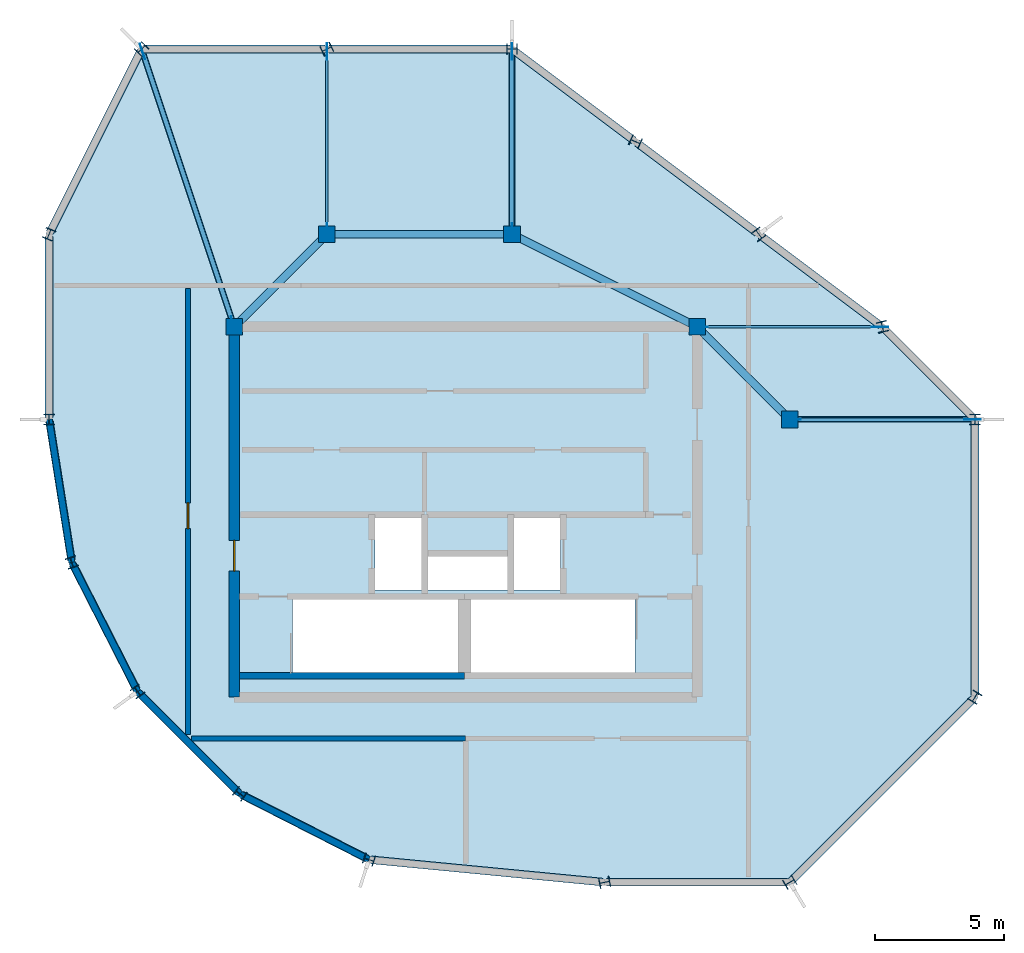
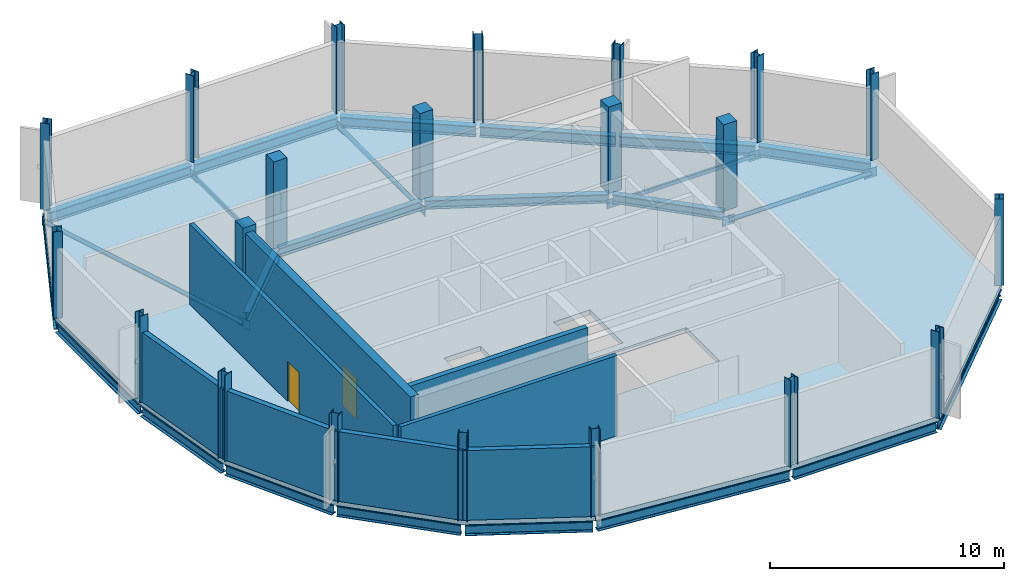
# One storey, part 1 of 4: 21 columns, 20 beams, 10 plates, 8 walls, 5 members, 2 doors, 1 slab, 2 openings.
"""IFC4 building model written with IfcOpenShell, lengths in metres."""

from ifc_helpers import new_model, si_unit, direction, frame, frame_2d, origin, origin_2d, place, context, subcontext, project, spatial, polyline, rectangle, hollow_rectangle, hollow_circle, i_section, outline, extrude, material, layer, layer_set, material_profile, profile_set, type_object, element, fill, save


model = new_model("IFC4")

# Units and contexts
model_context = context("Model", 3, precision=1e-05, world=origin(), true_north=direction((0.0, 1.0)))
body_context = subcontext(model_context, "Body", "Model", "MODEL_VIEW")
ifc_project = project(units=[si_unit("LENGTHUNIT", "METRE"), si_unit("AREAUNIT", "SQUARE_METRE"), si_unit("VOLUMEUNIT", "CUBIC_METRE"), si_unit("PLANEANGLEUNIT", "RADIAN"), si_unit("MASSUNIT", "GRAM", prefix="KILO")], contexts=[model_context])

# Site, building, storey
site_placement = place(None, origin())
site = spatial("IfcSite", under=ifc_project, at=site_placement, CompositionType="ELEMENT")
building_placement = place(site_placement, origin())
building = spatial("IfcBuilding", under=site, at=building_placement, Name="Solnavia Interchange Tower", CompositionType="ELEMENT")
storey_placement = place(building_placement, frame((0.0, 0.0, 322.199951171875)))
storey = spatial("IfcBuildingStorey", under=building, at=storey_placement, Name="C05", CompositionType="ELEMENT", Elevation=322.199951171875)

# Columns
ifc_material_1 = material(Name="Concrete C50/60", Category="concrete")
ifc_material_profile_1 = material_profile(ifc_material_1, rectangle(XDim=0.64990234375, YDim=0.64990234375, at=origin_2d()), Name="RC 650x650")
ifc_profile_set_1 = profile_set([ifc_material_profile_1], Name="Concrete C50/60")
column_type_1 = type_object("IfcColumnType", Name="Col-RC-650x650", PredefinedType="COLUMN", material=ifc_profile_set_1)
for number, where, z_axis, x_axis, name in (
    (1, (36.0, 21.60009765625, 0.0), (0.0, 0.0, 1.0), (1.0, 0.0, 0.0), "COL-C05-IN01 Crown inner plant column"),
    (2, (32.39990234375, 25.199951171875, 0.0), (0.0, 0.0, 1.0), (1.0, 0.0, 0.0), "COL-C05-IN02 Crown inner plant column"),
    (3, (25.199951171875, 28.800048828125, 0.0), (0.0, 0.0, 1.0), (1.0, 0.0, 0.0), "COL-C05-IN03 Crown inner plant column"),
    (4, (18.0, 28.800048828125, 0.0), (0.0, 0.0, 1.0), (1.0, 0.0, 0.0), "COL-C05-IN04 Crown inner plant column"),
    (5, (14.39990234375, 25.199951171875, 0.0), (0.0, 0.0, 1.0), (1.0, 0.0, 0.0), "COL-C05-IN05 Crown inner plant column"),
):
    element("IfcColumn", number, at=place(storey_placement, frame(where, z_axis=z_axis, x_axis=x_axis)), inside=storey, type_object=column_type_1, Name=name, PredefinedType="COLUMN", context=body_context, shape_type="SweptSolid", body=[
        extrude(rectangle(XDim=0.64990234375, YDim=0.64990234375, at=origin_2d()), origin(), (0.0, 0.0, 1.0), 4.5),
    ])
ifc_material_2 = material(Name="Steel S460", Category="steel")
ifc_material_profile_2 = material_profile(ifc_material_2, i_section(OverallWidth=0.405029296875, OverallDepth=0.4169921875, WebThickness=0.01806640625, FlangeThickness=0.028564453125, FilletRadius=0.014892578125, at=origin_2d()), Name="HD 400x262")
ifc_profile_set_2 = profile_set([ifc_material_profile_2], Name="Steel S460")
column_type_2 = type_object("IfcColumnType", Name="CrownFrame-Col-HD400x262", PredefinedType="COLUMN", material=ifc_profile_set_2)
for number, where, z_axis, x_axis, name in (
    (6, (43.199951171875, 21.60009765625, 0.0), (0.0, 0.0, 1.0), (1.0, 0.0, 0.0), "COL-C05-CF01 CROWN FRAME ring column"),
    (7, (39.60009765625, 25.199951171875, 0.0), (0.0, 0.0, 1.0), (0.97012659649, 0.242599230795, 0.0), "COL-C05-CF02 CROWN FRAME ring column"),
    (8, (34.800048828125, 28.800048828125, 0.0), (0.0, 0.0, 1.0), (0.799998928149, 0.600001429133, 0.0), "COL-C05-CF03 CROWN FRAME ring column"),
    (9, (30.0, 32.39990234375, 0.0), (0.0, 0.0, 1.0), (0.406098768964, 0.913829190738, 0.0), "COL-C05-CF04 CROWN FRAME ring column"),
    (10, (25.199951171875, 36.0, 0.0), (0.0, 0.0, 1.0), (0.0, 1.0, 0.0), "COL-C05-CF05 CROWN FRAME ring column"),
    (11, (18.0, 36.0, 0.0), (0.0, 0.0, 1.0), (-0.447290848419, 0.89438856037, 0.0), "COL-C05-CF06 CROWN FRAME ring column"),
    (12, (10.800048828125, 36.0, 0.0), (0.0, 0.0, 1.0), (-0.707106781187, 0.707106781187, 0.0), "COL-C05-CF07 CROWN FRAME ring column"),
    (13, (7.199951171875, 28.800048828125, 0.0), (0.0, 0.0, 1.0), (-0.928485826881, 0.37136783555, 0.0), "COL-C05-CF08 CROWN FRAME ring column"),
    (14, (7.199951171875, 21.60009765625, 0.0), (0.0, 0.0, 1.0), (-1.0, 0.0, 0.0), "COL-C05-CF09 CROWN FRAME ring column"),
    (15, (8.0810546875, 16.0380859375, 0.0), (0.0, 0.0, 1.0), (-0.951056516295, -0.309016994375, 0.0), "COL-C05-CF10 CROWN FRAME ring column"),
    (16, (10.637939453125, 11.02001953125, 0.0), (0.0, 0.0, 1.0), (-0.809016994375, -0.587785252292, 0.0), "COL-C05-CF11 CROWN FRAME ring column"),
    (17, (14.6201171875, 7.0380859375, 0.0), (0.0, 0.0, 1.0), (-0.587785252292, -0.809016994375, 0.0), "COL-C05-CF12 CROWN FRAME ring column"),
    (18, (19.637939453125, 4.48095703125, 0.0), (0.0, 0.0, 1.0), (-0.309016994375, -0.951056516295, 0.0), "COL-C05-CF13 CROWN FRAME ring column"),
    (19, (28.800048828125, 3.60009765625, 0.0), (0.0, 0.0, 1.0), (0.196117290802, -0.980580444557, 0.0), "COL-C05-CF14 CROWN FRAME ring column"),
    (20, (36.0, 3.60009765625, 0.0), (0.0, 0.0, 1.0), (0.514439533782, -0.857526656194, 0.0), "COL-C05-CF15 CROWN FRAME ring column"),
    (21, (43.199951171875, 10.800048828125, 0.0), (0.0, 0.0, 1.0), (0.857526656194, -0.514439533782, 0.0), "COL-C05-CF16 CROWN FRAME ring column"),
):
    element("IfcColumn", number, at=place(storey_placement, frame(where, z_axis=z_axis, x_axis=x_axis)), inside=storey, type_object=column_type_2, Name=name, PredefinedType="COLUMN", context=body_context, shape_type="SweptSolid", body=[
        extrude(i_section(OverallWidth=0.405029296875, OverallDepth=0.4169921875, WebThickness=0.01806640625, FlangeThickness=0.028564453125, FilletRadius=0.014892578125, at=origin_2d()), origin(), (0.0, 0.0, 1.0), 4.5),
    ])

# Beams
ifc_material_profile_3 = material_profile(ifc_material_2, i_section(OverallWidth=0.300048828125, OverallDepth=0.449951171875, WebThickness=0.013916015625, FlangeThickness=0.02587890625, FilletRadius=0.027099609375, at=origin_2d()), Name="HEB 450")
ifc_profile_set_3 = profile_set([ifc_material_profile_3], Name="Steel S460")
beam_type_1 = type_object("IfcBeamType", Name="Beam-Girder-HEB450", PredefinedType="BEAM", material=ifc_profile_set_3)
beam_1_placement = place(storey_placement, frame((35.943359375, 21.656494140625, -0.474853515625), z_axis=(-0.707106781187, 0.707106781187, 0.0), x_axis=(-0.707106781187, -0.707106781187, 0.0)))
element("IfcBeam", 22, at=beam_1_placement, inside=storey, type_object=beam_type_1, Name="GRD-C05-CI01 Crown inner ring girder", PredefinedType="BEAM", context=body_context, shape_type="SweptSolid", body=[
    extrude(i_section(OverallWidth=0.300048828125, OverallDepth=0.449951171875, WebThickness=0.013916015625, FlangeThickness=0.02587890625, FilletRadius=0.027099609375, at=origin_2d()), origin(), (0.0, 0.0, 1.0), 4.93115234375),
])
beam_2_placement = place(storey_placement, frame((32.328369140625, 25.23583984375, -0.474853515625), z_axis=(-0.894433379694, 0.447201217898, 0.0), x_axis=(-0.447201217898, -0.894433379694, 0.0)))
element("IfcBeam", 23, at=beam_2_placement, inside=storey, type_object=beam_type_1, Name="GRD-C05-CI02 Crown inner ring girder", PredefinedType="BEAM", context=body_context, shape_type="SweptSolid", body=[
    extrude(i_section(OverallWidth=0.300048828125, OverallDepth=0.449951171875, WebThickness=0.013916015625, FlangeThickness=0.02587890625, FilletRadius=0.027099609375, at=origin_2d()), origin(), (0.0, 0.0, 1.0), 7.889892578125),
])
beam_3_placement = place(storey_placement, frame((25.1201171875, 28.800048828125, -0.474853515625), z_axis=(-1.0, 0.0, 0.0), x_axis=(0.0, -1.0, 0.0)))
element("IfcBeam", 24, at=beam_3_placement, inside=storey, type_object=beam_type_1, Name="GRD-C05-CI03 Crown inner ring girder", PredefinedType="BEAM", context=body_context, shape_type="SweptSolid", body=[
    extrude(i_section(OverallWidth=0.300048828125, OverallDepth=0.449951171875, WebThickness=0.013916015625, FlangeThickness=0.02587890625, FilletRadius=0.027099609375, at=origin_2d()), origin(), (0.0, 0.0, 1.0), 7.0400390625),
])
beam_4_placement = place(storey_placement, frame((17.943359375, 28.743408203125, -0.474853515625), z_axis=(-0.707106781187, -0.707106781187, 0.0), x_axis=(0.707106781187, -0.707106781187, 0.0)))
element("IfcBeam", 25, at=beam_4_placement, inside=storey, type_object=beam_type_1, Name="GRD-C05-CI04 Crown inner ring girder", PredefinedType="BEAM", context=body_context, shape_type="SweptSolid", body=[
    extrude(i_section(OverallWidth=0.300048828125, OverallDepth=0.449951171875, WebThickness=0.013916015625, FlangeThickness=0.02587890625, FilletRadius=0.027099609375, at=origin_2d()), origin(), (0.0, 0.0, 1.0), 4.93115234375),
])

# Members
ifc_material_3 = material(Name="Steel S355", Category="steel")
ifc_material_profile_4 = material_profile(ifc_material_3, hollow_circle(Radius=0.109619140625, WallThickness=0.010009765625, at=origin_2d()), Name="CHS 219.1x10")
ifc_profile_set_4 = profile_set([ifc_material_profile_4], Name="Steel S355")
member_type_1 = type_object("IfcMemberType", Name="CrownFrame-Collar-CHS219", PredefinedType="COLLAR", material=ifc_profile_set_4)
for number, where, z_axis, x_axis, name in (
    (26, (36.10009765625, 21.60009765625, -0.800048828125), (1.0, 0.0, 0.0), (0.0, 1.0, 0.0), "OTR-C05-CL01 CROWN FRAME radial collar member"),
    (27, (25.199951171875, 28.89990234375, -0.800048828125), (0.0, 1.0, 0.0), (-1.0, 0.0, 0.0), "OTR-C05-CL03 CROWN FRAME radial collar member"),
):
    element("IfcMember", number, at=place(storey_placement, frame(where, z_axis=z_axis, x_axis=x_axis)), inside=storey, type_object=member_type_1, Name=name, PredefinedType="COLLAR", context=body_context, shape_type="SweptSolid", body=[
        extrude(hollow_circle(Radius=0.109619140625, WallThickness=0.010009765625, at=origin_2d()), origin(), (0.0, 0.0, 1.0), 7.0),
    ])
member_placement = place(storey_placement, frame((14.368408203125, 25.294921875, -0.800048828125), z_axis=(-0.316240863558, 0.948678932103, 0.0), x_axis=(-0.948678932103, -0.316240863558, 0.0)))
element("IfcMember", 28, at=member_placement, inside=storey, type_object=member_type_1, Name="OTR-C05-CL05 CROWN FRAME radial collar member", PredefinedType="COLLAR", context=body_context, shape_type="SweptSolid", body=[
    extrude(hollow_circle(Radius=0.109619140625, WallThickness=0.010009765625, at=origin_2d()), origin(), (0.0, 0.0, 1.0), 11.18408203125),
])
ifc_material_profile_5 = material_profile(ifc_material_3, hollow_rectangle(XDim=0.10009765625, YDim=0.199951171875, WallThickness=0.008056640625, at=origin_2d()), Name="RHS 200x100x8")
ifc_profile_set_5 = profile_set([ifc_material_profile_5], Name="Steel S355")
member_type_2 = type_object("IfcMemberType", Name="CrownFrame-Collar-RHS200", PredefinedType="COLLAR", material=ifc_profile_set_5)
for number, where, z_axis, x_axis, name in (
    (29, (32.5, 25.199951171875, -0.800048828125), (1.0, 0.0, 0.0), (0.0, 1.0, 0.0), "OTR-C05-CL02 CROWN FRAME radial collar member"),
    (30, (18.0, 28.89990234375, -0.800048828125), (0.0, 1.0, 0.0), (-1.0, 0.0, 0.0), "OTR-C05-CL04 CROWN FRAME radial collar member"),
):
    element("IfcMember", number, at=place(storey_placement, frame(where, z_axis=z_axis, x_axis=x_axis)), inside=storey, type_object=member_type_2, Name=name, PredefinedType="COLLAR", context=body_context, shape_type="SweptSolid", body=[
        extrude(hollow_rectangle(XDim=0.10009765625, YDim=0.199951171875, WallThickness=0.008056640625, at=origin_2d()), origin(), (0.0, 0.0, 1.0), 7.0),
    ])

# Beams
ifc_material_profile_6 = material_profile(ifc_material_2, i_section(OverallWidth=0.300048828125, OverallDepth=0.550048828125, WebThickness=0.014892578125, FlangeThickness=0.029052734375, FilletRadius=0.027099609375, at=origin_2d()), Name="HEB 550")
ifc_profile_set_6 = profile_set([ifc_material_profile_6], Name="Steel S460")
beam_type_2 = type_object("IfcBeamType", Name="CrownFrame-Ring-HEB550", PredefinedType="BEAM", material=ifc_profile_set_6)
beam_5_placement = place(storey_placement, frame((43.143310546875, 21.656494140625, -0.52490234375), z_axis=(-0.707106781187, 0.707106781187, 0.0), x_axis=(-0.707106781187, -0.707106781187, 0.0)))
element("IfcBeam", 31, at=beam_5_placement, inside=storey, type_object=beam_type_2, Name="GRD-C05-CR01 CROWN FRAME outer collar ring beam", PredefinedType="BEAM", context=body_context, shape_type="SweptSolid", body=[
    extrude(i_section(OverallWidth=0.300048828125, OverallDepth=0.550048828125, WebThickness=0.014892578125, FlangeThickness=0.029052734375, FilletRadius=0.027099609375, at=origin_2d()), origin(), (0.0, 0.0, 1.0), 4.93115234375),
])
beam_6_placement = place(storey_placement, frame((39.535888671875, 25.248046875, -0.52490234375), z_axis=(-0.8, 0.6, 0.0), x_axis=(-0.6, -0.8, 0.0)))
element("IfcBeam", 32, at=beam_6_placement, inside=storey, type_object=beam_type_2, Name="GRD-C05-CR02 CROWN FRAME outer collar ring beam", PredefinedType="BEAM", context=body_context, shape_type="SweptSolid", body=[
    extrude(i_section(OverallWidth=0.300048828125, OverallDepth=0.550048828125, WebThickness=0.014892578125, FlangeThickness=0.029052734375, FilletRadius=0.027099609375, at=origin_2d()), origin(), (0.0, 0.0, 1.0), 5.83984375),
])
for number, where, z_axis, x_axis, name in (
    (33, (34.736083984375, 28.847900390625, -0.52490234375), (-0.799994983543, 0.600006688551, 0.0), (-0.600006688551, -0.799994983543, 0.0), "GRD-C05-CR03 CROWN FRAME outer collar ring beam"),
    (34, (29.93603515625, 32.447998046875, -0.52490234375), (-0.800015049412, 0.599979933593, 0.0), (-0.599979933593, -0.800015049412, 0.0), "GRD-C05-CR04 CROWN FRAME outer collar ring beam"),
):
    element("IfcBeam", number, at=place(storey_placement, frame(where, z_axis=z_axis, x_axis=x_axis)), inside=storey, type_object=beam_type_2, Name=name, PredefinedType="BEAM", context=body_context, shape_type="SweptSolid", body=[
        extrude(i_section(OverallWidth=0.300048828125, OverallDepth=0.550048828125, WebThickness=0.014892578125, FlangeThickness=0.029052734375, FilletRadius=0.027099609375, at=origin_2d()), origin(), (0.0, 0.0, 1.0), 5.840087890625),
    ])
for number, where, z_axis, x_axis, name in (
    (35, (25.1201171875, 36.0, -0.52490234375), (-1.0, 0.0, 0.0), (0.0, -1.0, 0.0), "GRD-C05-CR05 CROWN FRAME outer collar ring beam"),
    (36, (17.919921875, 36.0, -0.52490234375), (-1.0, 0.0, 0.0), (0.0, -1.0, 0.0), "GRD-C05-CR06 CROWN FRAME outer collar ring beam"),
):
    element("IfcBeam", number, at=place(storey_placement, frame(where, z_axis=z_axis, x_axis=x_axis)), inside=storey, type_object=beam_type_2, Name=name, PredefinedType="BEAM", context=body_context, shape_type="SweptSolid", body=[
        extrude(i_section(OverallWidth=0.300048828125, OverallDepth=0.550048828125, WebThickness=0.014892578125, FlangeThickness=0.029052734375, FilletRadius=0.027099609375, at=origin_2d()), origin(), (0.0, 0.0, 1.0), 7.0400390625),
    ])
beam_7_placement = place(storey_placement, frame((10.76416015625, 35.928466796875, -0.52490234375), z_axis=(-0.447201217898, -0.894433379694, 0.0), x_axis=(0.894433379694, -0.447201217898, 0.0)))
element("IfcBeam", 37, at=beam_7_placement, inside=storey, type_object=beam_type_2, Name="GRD-C05-CR07 CROWN FRAME outer collar ring beam", PredefinedType="BEAM", context=body_context, shape_type="SweptSolid", body=[
    extrude(i_section(OverallWidth=0.300048828125, OverallDepth=0.550048828125, WebThickness=0.014892578125, FlangeThickness=0.029052734375, FilletRadius=0.027099609375, at=origin_2d()), origin(), (0.0, 0.0, 1.0), 7.889892578125),
])
beam_8_placement = place(storey_placement, frame((7.199951171875, 28.719970703125, -0.52490234375), z_axis=(0.0, -1.0, 0.0), x_axis=(1.0, 0.0, 0.0)))
element("IfcBeam", 38, at=beam_8_placement, inside=storey, type_object=beam_type_2, Name="GRD-C05-CR08 CROWN FRAME outer collar ring beam", PredefinedType="BEAM", context=body_context, shape_type="SweptSolid", body=[
    extrude(i_section(OverallWidth=0.300048828125, OverallDepth=0.550048828125, WebThickness=0.014892578125, FlangeThickness=0.029052734375, FilletRadius=0.027099609375, at=origin_2d()), origin(), (0.0, 0.0, 1.0), 7.0400390625),
])
beam_9_placement = place(storey_placement, frame((7.21240234375, 21.52099609375, -0.52490234375), z_axis=(0.156484976244, -0.987680339082, 0.0), x_axis=(0.987680339082, 0.156484976244, 0.0)))
element("IfcBeam", 39, at=beam_9_placement, inside=storey, type_object=beam_type_2, Name="GRD-C05-CR09 CROWN FRAME outer collar ring beam", PredefinedType="BEAM", context=body_context, shape_type="SweptSolid", body=[
    extrude(i_section(OverallWidth=0.300048828125, OverallDepth=0.550048828125, WebThickness=0.014892578125, FlangeThickness=0.029052734375, FilletRadius=0.027099609375, at=origin_2d()), origin(), (0.0, 0.0, 1.0), 5.471435546875),
])
beam_10_placement = place(storey_placement, frame((8.1171875, 15.966796875, -0.52490234375), z_axis=(0.454053431986, -0.890974455808, 0.0), x_axis=(0.890974455808, 0.454053431986, 0.0)))
element("IfcBeam", 40, at=beam_10_placement, inside=storey, type_object=beam_type_2, Name="GRD-C05-CR10 CROWN FRAME outer collar ring beam", PredefinedType="BEAM", context=body_context, shape_type="SweptSolid", body=[
    extrude(i_section(OverallWidth=0.300048828125, OverallDepth=0.550048828125, WebThickness=0.014892578125, FlangeThickness=0.029052734375, FilletRadius=0.027099609375, at=origin_2d()), origin(), (0.0, 0.0, 1.0), 5.47216796875),
])
beam_11_placement = place(storey_placement, frame((10.694580078125, 10.96337890625, -0.52490234375), z_axis=(0.707106781187, -0.707106781187, 0.0), x_axis=(0.707106781187, 0.707106781187, 0.0)))
element("IfcBeam", 41, at=beam_11_placement, inside=storey, type_object=beam_type_2, Name="GRD-C05-CR11 CROWN FRAME outer collar ring beam", PredefinedType="BEAM", context=body_context, shape_type="SweptSolid", body=[
    extrude(i_section(OverallWidth=0.300048828125, OverallDepth=0.550048828125, WebThickness=0.014892578125, FlangeThickness=0.029052734375, FilletRadius=0.027099609375, at=origin_2d()), origin(), (0.0, 0.0, 1.0), 5.471435546875),
])
beam_12_placement = place(storey_placement, frame((14.69140625, 7.001708984375, -0.52490234375), z_axis=(0.890983307267, -0.454036062634, 0.0), x_axis=(0.454036062634, 0.890983307267, 0.0)))
element("IfcBeam", 42, at=beam_12_placement, inside=storey, type_object=beam_type_2, Name="GRD-C05-CR12 CROWN FRAME outer collar ring beam", PredefinedType="BEAM", context=body_context, shape_type="SweptSolid", body=[
    extrude(i_section(OverallWidth=0.300048828125, OverallDepth=0.550048828125, WebThickness=0.014892578125, FlangeThickness=0.029052734375, FilletRadius=0.027099609375, at=origin_2d()), origin(), (0.0, 0.0, 1.0), 5.4716796875),
])
beam_13_placement = place(storey_placement, frame((19.717529296875, 4.473388671875, -0.52490234375), z_axis=(0.995408435602, -0.095718578822, 0.0), x_axis=(0.095718578822, 0.995408435602, 0.0)))
element("IfcBeam", 43, at=beam_13_placement, inside=storey, type_object=beam_type_2, Name="GRD-C05-CR13 CROWN FRAME outer collar ring beam", PredefinedType="BEAM", context=body_context, shape_type="SweptSolid", body=[
    extrude(i_section(OverallWidth=0.300048828125, OverallDepth=0.550048828125, WebThickness=0.014892578125, FlangeThickness=0.029052734375, FilletRadius=0.027099609375, at=origin_2d()), origin(), (0.0, 0.0, 1.0), 9.04443359375),
])
beam_14_placement = place(storey_placement, frame((28.8798828125, 3.60009765625, -0.52490234375), z_axis=(1.0, 0.0, 0.0), x_axis=(0.0, 1.0, 0.0)))
element("IfcBeam", 44, at=beam_14_placement, inside=storey, type_object=beam_type_2, Name="GRD-C05-CR14 CROWN FRAME outer collar ring beam", PredefinedType="BEAM", context=body_context, shape_type="SweptSolid", body=[
    extrude(i_section(OverallWidth=0.300048828125, OverallDepth=0.550048828125, WebThickness=0.014892578125, FlangeThickness=0.029052734375, FilletRadius=0.027099609375, at=origin_2d()), origin(), (0.0, 0.0, 1.0), 7.0400390625),
])
beam_15_placement = place(storey_placement, frame((36.056640625, 3.656494140625, -0.52490234375), z_axis=(0.707094601135, 0.707118961028, 0.0), x_axis=(-0.707118961028, 0.707094601135, 0.0)))
element("IfcBeam", 45, at=beam_15_placement, inside=storey, type_object=beam_type_2, Name="GRD-C05-CR15 CROWN FRAME outer collar ring beam", PredefinedType="BEAM", context=body_context, shape_type="SweptSolid", body=[
    extrude(i_section(OverallWidth=0.300048828125, OverallDepth=0.550048828125, WebThickness=0.014892578125, FlangeThickness=0.029052734375, FilletRadius=0.027099609375, at=origin_2d()), origin(), (0.0, 0.0, 1.0), 10.022216796875),
])
beam_16_placement = place(storey_placement, frame((43.199951171875, 10.8798828125, -0.52490234375), z_axis=(0.0, 1.0, 0.0), x_axis=(-1.0, 0.0, 0.0)))
element("IfcBeam", 46, at=beam_16_placement, inside=storey, type_object=beam_type_2, Name="GRD-C05-CR16 CROWN FRAME outer collar ring beam", PredefinedType="BEAM", context=body_context, shape_type="SweptSolid", body=[
    extrude(i_section(OverallWidth=0.300048828125, OverallDepth=0.550048828125, WebThickness=0.014892578125, FlangeThickness=0.029052734375, FilletRadius=0.027099609375, at=origin_2d()), origin(), (0.0, 0.0, 1.0), 10.64013671875),
])

# Plates
ifc_layer_1 = layer(ifc_material_2, 0.02490234375)
ifc_layer_set_1 = layer_set([ifc_layer_1], Name="Steel S460")
plate_type = type_object("IfcPlateType", Name="Plate-Gusset-640x480x25", PredefinedType="USERDEFINED", material=ifc_layer_set_1)
for number, where, z_axis, x_axis, name in (
    (47, (36.10009765625, 21.60009765625, -1.0400390625), (0.0, 0.0, 1.0), (1.0, 0.0, 0.0), "PLT-C05-GP01 Crown collar gusset plate"),
    (48, (43.10009765625, 21.60009765625, -1.0400390625), (0.0, 0.0, 1.0), (1.0, 0.0, 0.0), "PLT-C05-GP02 Crown collar gusset plate"),
    (49, (32.5, 25.199951171875, -1.0400390625), (0.0, 0.0, 1.0), (1.0, 0.0, 0.0), "PLT-C05-GP03 Crown collar gusset plate"),
    (50, (39.5, 25.199951171875, -1.0400390625), (0.0, 0.0, 1.0), (1.0, 0.0, 0.0), "PLT-C05-GP04 Crown collar gusset plate"),
    (51, (25.199951171875, 28.89990234375, -1.0400390625), (0.0, 0.0, 1.0), (0.0, 1.0, 0.0), "PLT-C05-GP05 Crown collar gusset plate"),
    (52, (25.199951171875, 35.89990234375, -1.0400390625), (0.0, 0.0, 1.0), (0.0, 1.0, 0.0), "PLT-C05-GP06 Crown collar gusset plate"),
    (53, (18.0, 28.89990234375, -1.0400390625), (0.0, 0.0, 1.0), (0.0, 1.0, 0.0), "PLT-C05-GP07 Crown collar gusset plate"),
    (54, (18.0, 35.89990234375, -1.0400390625), (0.0, 0.0, 1.0), (0.0, 1.0, 0.0), "PLT-C05-GP08 Crown collar gusset plate"),
    (55, (14.368408203125, 25.294921875, -1.0400390625), (0.0, 0.0, 1.0), (-0.316145823974, 0.948710608133, 0.0), "PLT-C05-GP09 Crown collar gusset plate"),
    (56, (10.83154296875, 35.905029296875, -1.0400390625), (0.0, 0.0, 1.0), (-0.316145823974, 0.948710608133, 0.0), "PLT-C05-GP10 Crown collar gusset plate"),
):
    element("IfcPlate", number, at=place(storey_placement, frame(where, z_axis=z_axis, x_axis=x_axis)), inside=storey, type_object=plate_type, Name=name, ObjectType="GUSSET PLATE", PredefinedType="USERDEFINED", context=body_context, shape_type="SweptSolid", body=[
        extrude(rectangle(XDim=0.639892578125, YDim=0.02490234375, at=origin_2d()), origin(), (0.0, 0.0, 1.0), 0.47998046875),
    ])

# Slab
ifc_material_4 = material(Name="Concrete C40/50", Category="concrete")
ifc_layer_2 = layer(ifc_material_4, 0.25)
ifc_layer_set_2 = layer_set([ifc_layer_2], Name="Concrete C40/50")
slab_type = type_object("IfcSlabType", Name="Slab-Tower-250", PredefinedType="FLOOR", material=ifc_layer_set_2)
slab_placement = place(storey_placement, frame((0.0, 0.0, -0.25)))
element("IfcSlab", 57, at=slab_placement, inside=storey, type_object=slab_type, Name="SLB-C05-01 Structural floor slab", PredefinedType="FLOOR", context=body_context, shape_type="SweptSolid", body=[
    extrude(outline(polyline([(43.300048828125, 21.64111328125), (43.300048828125, 10.759033203125), (36.041015625, 3.5), (28.794921875, 3.5), (19.610107421875, 4.383056640625), (14.56005859375, 6.9560546875), (10.555908203125, 10.9599609375), (7.985107421875, 16.007080078125), (7.10009765625, 21.592041015625), (7.10009765625, 28.823974609375), (10.738037109375, 36.10009765625), (25.23291015625, 36.10009765625), (30.06005859375, 32.47998046875), (34.860107421875, 28.8798828125), (39.666015625, 25.27587890625), (43.300048828125, 21.64111328125)]), holes=[polyline([(16.675048828125, 11.75), (23.10009765625, 11.75), (23.10009765625, 14.590087890625), (16.675048828125, 14.590087890625), (16.675048828125, 11.75)]), polyline([(23.60009765625, 11.75), (29.97509765625, 11.75), (29.97509765625, 14.590087890625), (23.60009765625, 14.590087890625), (23.60009765625, 11.75)]), polyline([(19.8798828125, 14.9599609375), (21.679931640625, 14.9599609375), (21.679931640625, 17.780029296875), (19.8798828125, 17.780029296875), (19.8798828125, 14.9599609375)]), polyline([(25.280029296875, 14.9599609375), (27.080078125, 14.9599609375), (27.080078125, 17.780029296875), (25.280029296875, 17.780029296875), (25.280029296875, 14.9599609375)]), polyline([(21.919921875, 14.9599609375), (25.02001953125, 14.9599609375), (25.02001953125, 16.280029296875), (21.919921875, 16.280029296875), (21.919921875, 14.9599609375)])]), origin(), (0.0, 0.0, 1.0), 0.25),
])

# Walls
ifc_layer_3 = layer(ifc_material_4, 0.25)
ifc_layer_set_3 = layer_set([ifc_layer_3], Name="Concrete C40/50")
wall_type_1 = type_object("IfcWallType", Name="Wall-ExtSpandrel-250", PredefinedType="STANDARD", material=ifc_layer_set_3)
wall_1_placement = place(storey_placement, frame((7.199951171875, 21.60009765625, 0.0), z_axis=(0.0, 0.0, 1.0), x_axis=(0.156463464287, -0.987683747129, 0.0)))
element("IfcWall", 58, at=wall_1_placement, inside=storey, type_object=wall_type_1, Name="EXW-C05-R09 Crown ring facade panel", PredefinedType="STANDARD", context=body_context, shape_type="SweptSolid", body=[
    extrude(rectangle(XDim=5.63134765625, YDim=0.25, at=frame_2d((2.815673828125, 0.0))), origin(), (0.0, 0.0, 1.0), 3.630126953125),
])
wall_2_placement = place(storey_placement, frame((8.0810546875, 16.0380859375, 0.0), z_axis=(0.0, 0.0, 1.0), x_axis=(0.453997861418, -0.891002773187, 0.0)))
element("IfcWall", 59, at=wall_2_placement, inside=storey, type_object=wall_type_1, Name="EXW-C05-R10 Crown ring facade panel", PredefinedType="STANDARD", context=body_context, shape_type="SweptSolid", body=[
    extrude(rectangle(XDim=5.6318359375, YDim=0.25, at=frame_2d((2.81591796875, 0.0))), origin(), (0.0, 0.0, 1.0), 3.630126953125),
])
wall_3_placement = place(storey_placement, frame((10.637939453125, 11.02001953125, 0.0), z_axis=(0.0, 0.0, 1.0), x_axis=(0.707128457283, -0.707085104426, 0.0)))
element("IfcWall", 60, at=wall_3_placement, inside=storey, type_object=wall_type_1, Name="EXW-C05-R11 Crown ring facade panel", PredefinedType="STANDARD", context=body_context, shape_type="SweptSolid", body=[
    extrude(rectangle(XDim=5.631591796875, YDim=0.25, at=frame_2d((2.81591796875, 0.0))), origin(), (0.0, 0.0, 1.0), 3.630126953125),
])
wall_4_placement = place(storey_placement, frame((14.6201171875, 7.0380859375, 0.0), z_axis=(0.0, 0.0, 1.0), x_axis=(0.890976300863, -0.454049811475, 0.0)))
element("IfcWall", 61, at=wall_4_placement, inside=storey, type_object=wall_type_1, Name="EXW-C05-R12 Crown ring facade panel", PredefinedType="STANDARD", context=body_context, shape_type="SweptSolid", body=[
    extrude(rectangle(XDim=5.6318359375, YDim=0.25, at=frame_2d((2.81591796875, 0.0))), origin(), (0.0, 0.0, 1.0), 3.630126953125),
])

# Wall, opening, door
ifc_layer_4 = layer(ifc_material_4, 0.199951171875)
ifc_layer_set_4 = layer_set([ifc_layer_4], Name="Concrete C40/50")
wall_type_2 = type_object("IfcWallType", Name="Wall-PlantFire-200", PredefinedType="PARTITIONING", material=ifc_layer_set_4)
wall_5_placement = place(storey_placement, frame((12.60009765625, 9.347900390625, 0.0), z_axis=(0.0, 0.0, 1.0), x_axis=(0.0, 1.0, 0.0)))
wall_5 = element("IfcWall", 62, at=wall_5_placement, inside=storey, type_object=wall_type_2, Name="PTW-C05-04 Interior partition wall", PredefinedType="PARTITIONING", context=body_context, shape_type="SweptSolid", body=[
    extrude(rectangle(XDim=17.34814453125, YDim=0.199951171875, at=frame_2d((8.674072265625, 0.0))), origin(), (0.0, 0.0, 1.0), 4.18505859375),
])
opening_1_placement = place(wall_5_placement, frame((8.010009765625, 0.0, 0.0)))
opening_1 = element("IfcOpeningElement", 63, at=opening_1_placement, cuts=wall_5, Name="Opening DR-04", PredefinedType="OPENING", context=body_context, shape_type="SweptSolid", body=[
    extrude(rectangle(XDim=1.0, YDim=2.10009765625, at=frame_2d((0.5, 1.050048828125))), frame((0.0, 0.10986328125, 0.0), z_axis=(0.0, -1.0, 0.0), x_axis=(1.0, 0.0, 0.0)), (0.0, 0.0, 1.0), 0.219970703125),
])
ifc_material_5 = material(Name="Steel Fire-Rated Plant Door", Category="steel")
door_type_1 = type_object("IfcDoorType", Name="Door-PlantFire-1000x2100", OperationType="SINGLE_SWING_LEFT", PredefinedType="DOOR", material=ifc_material_5)
door_1_placement = place(opening_1_placement, origin())
door_1 = element("IfcDoor", 64, at=door_1_placement, inside=storey, type_object=door_type_1, Name="DR-C05-02 Interior room door", OperationType="SINGLE_SWING_RIGHT", OverallHeight=2.10009765625, OverallWidth=1.0, PredefinedType="DOOR", context=body_context, shape_type="SweptSolid", body=[
    extrude(rectangle(XDim=1.0, YDim=2.10009765625, at=frame_2d((0.5, 1.050048828125))), frame((0.0, 0.02490234375, 0.0), z_axis=(0.0, -1.0, 0.0), x_axis=(1.0, 0.0, 0.0)), (0.0, 0.0, 1.0), 0.050048828125),
])
fill(opening_1, door_1)

# Walls
wall_6_placement = place(storey_placement, frame((12.747802734375, 9.199951171875, 0.0), z_axis=(0.0, 0.0, 1.0), x_axis=(1.0, 0.0, 0.0)))
element("IfcWall", 65, at=wall_6_placement, inside=storey, type_object=wall_type_2, Name="PTW-C05-05 Interior partition wall", PredefinedType="PARTITIONING", context=body_context, shape_type="SweptSolid", body=[
    extrude(rectangle(XDim=10.652099609375, YDim=0.199951171875, at=frame_2d((5.326171875, 0.0))), origin(), (0.0, 0.0, 1.0), 4.18505859375),
])
ifc_layer_5 = layer(ifc_material_4, 0.25)
ifc_layer_set_5 = layer_set([ifc_layer_5], Name="Concrete C40/50")
wall_type_3 = type_object("IfcWallType", Name="Wall-ShaftCore-250", PredefinedType="SHEAR", material=ifc_layer_set_5)
wall_7_placement = place(storey_placement, frame((14.60009765625, 11.625, 0.0), z_axis=(0.0, 0.0, 1.0), x_axis=(1.0, 0.0, 0.0)))
element("IfcWall", 66, at=wall_7_placement, inside=storey, type_object=wall_type_3, Name="SHW-C05-ST1S Core shear wall", PredefinedType="SHEAR", context=body_context, shape_type="SweptSolid", body=[
    extrude(rectangle(XDim=8.75, YDim=0.25, at=frame_2d((4.375, 0.0))), origin(), (0.0, 0.0, 1.0), 4.199951171875),
])

# Wall, opening, door
ifc_layer_6 = layer(ifc_material_1, 0.39990234375)
ifc_layer_set_6 = layer_set([ifc_layer_6], Name="Concrete C50/60")
wall_type_4 = type_object("IfcWallType", Name="Wall-ShearCore-400", PredefinedType="SHEAR", material=ifc_layer_set_6)
wall_8_placement = place(storey_placement, frame((14.39990234375, 10.800048828125, 0.0), z_axis=(0.0, 0.0, 1.0), x_axis=(0.0, 1.0, 0.0)))
wall_8 = element("IfcWall", 67, at=wall_8_placement, inside=storey, type_object=wall_type_4, Name="CRW-C05-W Core shear wall", PredefinedType="SHEAR", context=body_context, shape_type="SweptSolid", body=[
    extrude(rectangle(XDim=14.39990234375, YDim=0.39990234375, at=frame_2d((7.199951171875, 0.0))), origin(), (0.0, 0.0, 1.0), 4.199951171875),
])
opening_2_placement = place(wall_8_placement, frame((4.89990234375, 0.0, 0.0)))
opening_2 = element("IfcOpeningElement", 68, at=opening_2_placement, cuts=wall_8, Name="Opening DR-02", PredefinedType="OPENING", context=body_context, shape_type="SweptSolid", body=[
    extrude(rectangle(XDim=1.199951171875, YDim=2.10009765625, at=frame_2d((0.60009765625, 1.050048828125))), frame((0.0, 0.2099609375, 0.0), z_axis=(0.0, -1.0, 0.0), x_axis=(1.0, 0.0, 0.0)), (0.0, 0.0, 1.0), 0.419921875),
])
ifc_material_6 = material(Name="Steel Fire-Rated Vision-Panel Door", Category="steel")
door_type_2 = type_object("IfcDoorType", Name="Door-LobbyFire-1200x2100", OperationType="SINGLE_SWING_RIGHT", PredefinedType="DOOR", material=ifc_material_6)
door_2_placement = place(opening_2_placement, origin())
door_2 = element("IfcDoor", 69, at=door_2_placement, inside=storey, type_object=door_type_2, Name="DR-C05-FFL1W Core fire door", OperationType="SINGLE_SWING_RIGHT", OverallHeight=2.10009765625, OverallWidth=1.199951171875, PredefinedType="DOOR", context=body_context, shape_type="SweptSolid", body=[
    extrude(rectangle(XDim=1.199951171875, YDim=2.10009765625, at=frame_2d((0.60009765625, 1.050048828125))), frame((0.0, 0.02490234375, 0.0), z_axis=(0.0, -1.0, 0.0), x_axis=(1.0, 0.0, 0.0)), (0.0, 0.0, 1.0), 0.050048828125),
])
fill(opening_2, door_2)

save(model, "model.ifc")
